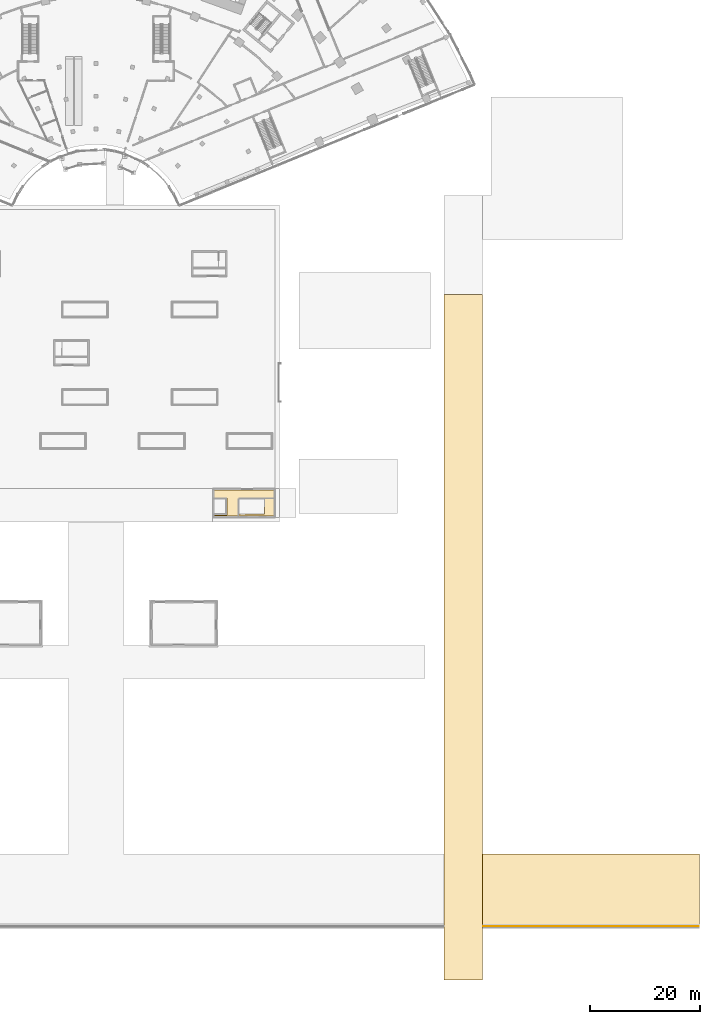
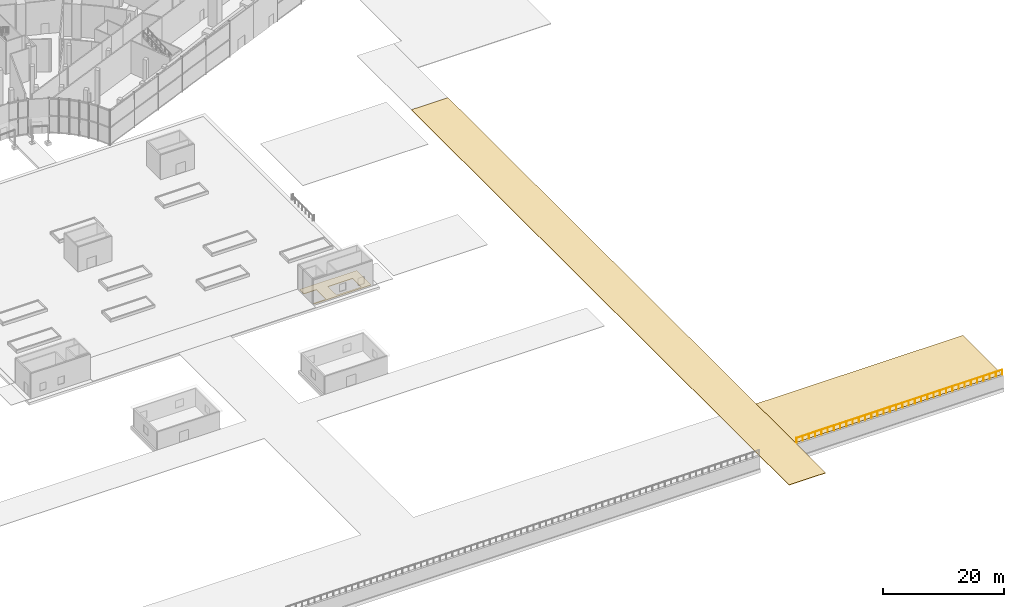
# One storey, part 46 of 60: 3 coverings, 1 railing.
"""IFC4 building model written with IfcOpenShell, lengths in metres."""

from ifc_helpers import new_model, si_unit, direction, frame, origin, origin_2d, place, context, subcontext, project, spatial, polyline, circle, outline, extrude, material, layer, layer_set, type_object, element, save


model = new_model("IFC4")

# Units and contexts
model_context = context("Model", 3, precision=1e-05, world=origin(), true_north=direction((0.0, 1.0)))
body_context = subcontext(model_context, "Body", "Model", "MODEL_VIEW")
ifc_project = project(units=[si_unit("LENGTHUNIT", "METRE"), si_unit("AREAUNIT", "SQUARE_METRE"), si_unit("VOLUMEUNIT", "CUBIC_METRE"), si_unit("PLANEANGLEUNIT", "RADIAN"), si_unit("MASSUNIT", "GRAM", prefix="KILO")], contexts=[model_context])

# Site, building, storey
site_placement = place(None, origin())
site = spatial("IfcSite", under=ifc_project, at=site_placement, CompositionType="ELEMENT")
building_placement = place(site_placement, origin())
building = spatial("IfcBuilding", under=site, at=building_placement, Name="Stone Belt Terrace Tower", CompositionType="ELEMENT")
storey_placement = place(building_placement, origin())
storey = spatial("IfcBuildingStorey", under=building, at=storey_placement, Name="L00", CompositionType="ELEMENT", Elevation=0.0)

# Railing
ifc_material_1 = material(Name="Structural steel C345", Category="steel")
railing_type = type_object("IfcRailingType", Name="Garden guard 1100", PredefinedType="GUARDRAIL", material=ifc_material_1)
railing_placement = place(storey_placement, frame((70.60009765625, -125.199951171875, 0.0)))
element("IfcRailing", 1, at=railing_placement, inside=storey, type_object=railing_type, Name="Embankment promenade guard", PredefinedType="GUARDRAIL", context=body_context, shape_type="SweptSolid", body=[
    extrude(circle(Radius=0.02392578125, at=origin_2d()), frame((0.0, 0.0, 1.076171875), z_axis=(1.0, 0.0, 0.0), x_axis=(0.0, 1.0, 0.0)), (0.0, 0.0, 1.0), 39.2998046875),
    extrude(circle(Radius=0.02099609375, at=origin_2d()), origin(), (0.0, 0.0, 1.0), 1.052001953125),
    extrude(circle(Radius=0.02099609375, at=origin_2d()), frame((1.19091796875, 0.0, 0.0)), (0.0, 0.0, 1.0), 1.052001953125),
    extrude(circle(Radius=0.02099609375, at=origin_2d()), frame((2.3818359375, 0.0, 0.0)), (0.0, 0.0, 1.0), 1.052001953125),
    extrude(circle(Radius=0.02099609375, at=origin_2d()), frame((3.57275390625, 0.0, 0.0)), (0.0, 0.0, 1.0), 1.052001953125),
    extrude(circle(Radius=0.02099609375, at=origin_2d()), frame((4.763671875, 0.0, 0.0)), (0.0, 0.0, 1.0), 1.052001953125),
    extrude(circle(Radius=0.02099609375, at=origin_2d()), frame((5.95458984375, 0.0, 0.0)), (0.0, 0.0, 1.0), 1.052001953125),
    extrude(circle(Radius=0.02099609375, at=origin_2d()), frame((7.1455078125, 0.0, 0.0)), (0.0, 0.0, 1.0), 1.052001953125),
    extrude(circle(Radius=0.02099609375, at=origin_2d()), frame((8.33642578125, 0.0, 0.0)), (0.0, 0.0, 1.0), 1.052001953125),
    extrude(circle(Radius=0.02099609375, at=origin_2d()), frame((9.52734375, 0.0, 0.0)), (0.0, 0.0, 1.0), 1.052001953125),
    extrude(circle(Radius=0.02099609375, at=origin_2d()), frame((10.718017578125, 0.0, 0.0)), (0.0, 0.0, 1.0), 1.052001953125),
    extrude(circle(Radius=0.02099609375, at=origin_2d()), frame((11.908935546875, 0.0, 0.0)), (0.0, 0.0, 1.0), 1.052001953125),
    extrude(circle(Radius=0.02099609375, at=origin_2d()), frame((13.099853515625, 0.0, 0.0)), (0.0, 0.0, 1.0), 1.052001953125),
    extrude(circle(Radius=0.02099609375, at=origin_2d()), frame((14.290771484375, 0.0, 0.0)), (0.0, 0.0, 1.0), 1.052001953125),
    extrude(circle(Radius=0.02099609375, at=origin_2d()), frame((15.481689453125, 0.0, 0.0)), (0.0, 0.0, 1.0), 1.052001953125),
    extrude(circle(Radius=0.02099609375, at=origin_2d()), frame((16.672607421875, 0.0, 0.0)), (0.0, 0.0, 1.0), 1.052001953125),
    extrude(circle(Radius=0.02099609375, at=origin_2d()), frame((17.863525390625, 0.0, 0.0)), (0.0, 0.0, 1.0), 1.052001953125),
    extrude(circle(Radius=0.02099609375, at=origin_2d()), frame((19.054443359375, 0.0, 0.0)), (0.0, 0.0, 1.0), 1.052001953125),
    extrude(circle(Radius=0.02099609375, at=origin_2d()), frame((20.245361328125, 0.0, 0.0)), (0.0, 0.0, 1.0), 1.052001953125),
    extrude(circle(Radius=0.02099609375, at=origin_2d()), frame((21.436279296875, 0.0, 0.0)), (0.0, 0.0, 1.0), 1.052001953125),
    extrude(circle(Radius=0.02099609375, at=origin_2d()), frame((22.627197265625, 0.0, 0.0)), (0.0, 0.0, 1.0), 1.052001953125),
    extrude(circle(Radius=0.02099609375, at=origin_2d()), frame((23.818115234375, 0.0, 0.0)), (0.0, 0.0, 1.0), 1.052001953125),
    extrude(circle(Radius=0.02099609375, at=origin_2d()), frame((25.009033203125, 0.0, 0.0)), (0.0, 0.0, 1.0), 1.052001953125),
    extrude(circle(Radius=0.02099609375, at=origin_2d()), frame((26.199951171875, 0.0, 0.0)), (0.0, 0.0, 1.0), 1.052001953125),
    extrude(circle(Radius=0.02099609375, at=origin_2d()), frame((27.390869140625, 0.0, 0.0)), (0.0, 0.0, 1.0), 1.052001953125),
    extrude(circle(Radius=0.02099609375, at=origin_2d()), frame((28.581787109375, 0.0, 0.0)), (0.0, 0.0, 1.0), 1.052001953125),
    extrude(circle(Radius=0.02099609375, at=origin_2d()), frame((29.7724609375, 0.0, 0.0)), (0.0, 0.0, 1.0), 1.052001953125),
    extrude(circle(Radius=0.02099609375, at=origin_2d()), frame((30.96337890625, 0.0, 0.0)), (0.0, 0.0, 1.0), 1.052001953125),
    extrude(circle(Radius=0.02099609375, at=origin_2d()), frame((32.154296875, 0.0, 0.0)), (0.0, 0.0, 1.0), 1.052001953125),
    extrude(circle(Radius=0.02099609375, at=origin_2d()), frame((33.34521484375, 0.0, 0.0)), (0.0, 0.0, 1.0), 1.052001953125),
    extrude(circle(Radius=0.02099609375, at=origin_2d()), frame((34.5361328125, 0.0, 0.0)), (0.0, 0.0, 1.0), 1.052001953125),
    extrude(circle(Radius=0.02099609375, at=origin_2d()), frame((35.72705078125, 0.0, 0.0)), (0.0, 0.0, 1.0), 1.052001953125),
    extrude(circle(Radius=0.02099609375, at=origin_2d()), frame((36.91796875, 0.0, 0.0)), (0.0, 0.0, 1.0), 1.052001953125),
    extrude(circle(Radius=0.02099609375, at=origin_2d()), frame((38.10888671875, 0.0, 0.0)), (0.0, 0.0, 1.0), 1.052001953125),
    extrude(circle(Radius=0.02099609375, at=origin_2d()), frame((39.2998046875, 0.0, 0.0)), (0.0, 0.0, 1.0), 1.052001953125),
])

# Coverings
ifc_material_2 = material(Name="Cement screed")
ifc_layer_1 = layer(ifc_material_2, 0.10009765625)
ifc_layer_set_1 = layer_set([ifc_layer_1], Name="House floor finish 100")
covering_type_1 = type_object("IfcCoveringType", Name="House floor finish 100", PredefinedType="FLOORING", material=ifc_layer_set_1)
covering_1_placement = place(storey_placement, frame((0.0, 0.0, -0.10009765625)))
element("IfcCovering", 2, at=covering_1_placement, inside=storey, type_object=covering_type_1, Name="Car park stair and lift house 2 floor", PredefinedType="FLOORING", context=body_context, shape_type="SweptSolid", body=[
    extrude(outline(polyline([(21.550048828125, -50.449951171875), (32.449951171875, -50.449951171875), (32.449951171875, -45.64990234375), (21.550048828125, -45.64990234375), (21.550048828125, -47.10009765625), (23.89990234375, -47.10009765625), (23.89990234375, -50.199951171875), (21.550048828125, -50.199951171875), (21.550048828125, -50.449951171875)]), holes=[polyline([(26.04296875, -50.096923828125), (30.7470703125, -50.096923828125), (30.7470703125, -47.302978515625), (26.04296875, -47.302978515625), (26.04296875, -50.096923828125)])]), origin(), (0.0, 0.0, 1.0), 0.10009765625),
])
ifc_material_3 = material(Name="Granite paving", Category="masonry")
ifc_layer_2 = layer(ifc_material_3, 0.10009765625)
ifc_layer_set_2 = layer_set([ifc_layer_2], Name="Paving covering 100")
covering_type_2 = type_object("IfcCoveringType", Name="Paving covering 100", PredefinedType="FLOORING", material=ifc_layer_set_2)
covering_2_placement = place(storey_placement, frame((0.0, 0.0, -0.10009765625)))
element("IfcCovering", 3, at=covering_2_placement, inside=storey, type_object=covering_type_2, Name="Garden path paving", PredefinedType="FLOORING", context=body_context, shape_type="SweptSolid", body=[
    extrude(outline(polyline([(70.5, -125.0), (110.0, -125.0), (110.0, -112.0), (70.5, -112.0), (70.5, -125.0)])), origin(), (0.0, 0.0, 1.0), 0.10009765625),
])
ifc_material_4 = material(Name="Asphalt paving")
ifc_layer_3 = layer(ifc_material_4, 0.10009765625)
ifc_layer_set_3 = layer_set([ifc_layer_3], Name="Road covering 100")
covering_type_3 = type_object("IfcCoveringType", Name="Road covering 100", PredefinedType="FLOORING", material=ifc_layer_set_3)
covering_3_placement = place(storey_placement, frame((0.0, 0.0, -0.10009765625)))
element("IfcCovering", 4, at=covering_3_placement, inside=storey, type_object=covering_type_3, Name="Car park access road", PredefinedType="FLOORING", context=body_context, shape_type="SweptSolid", body=[
    extrude(outline(polyline([(63.5, -135.0), (70.5, -135.0), (70.5, -10.0), (63.5, -10.0), (63.5, -135.0)])), origin(), (0.0, 0.0, 1.0), 0.10009765625),
])

save(model, "model.ifc")
